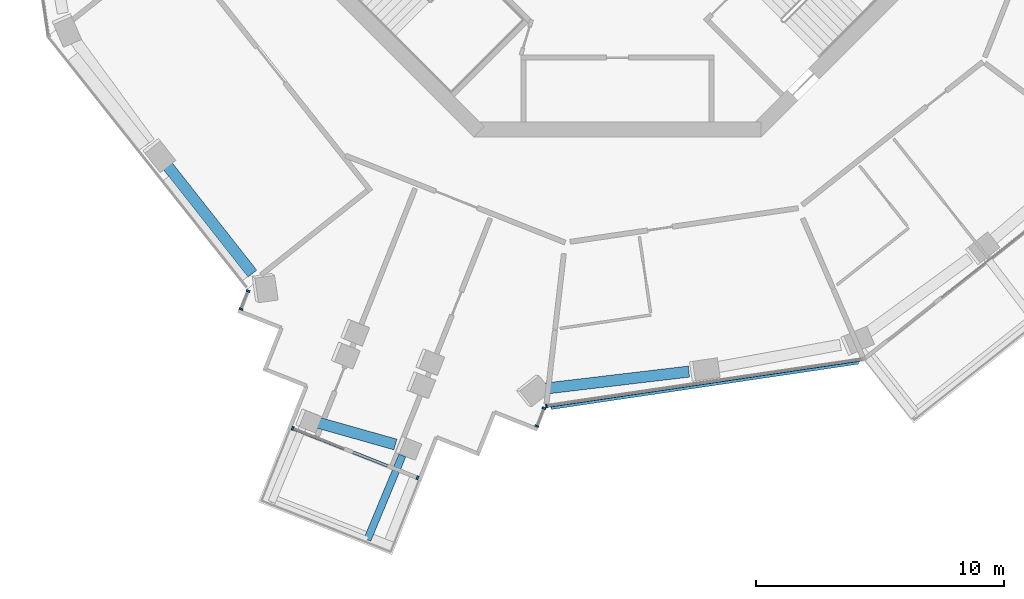
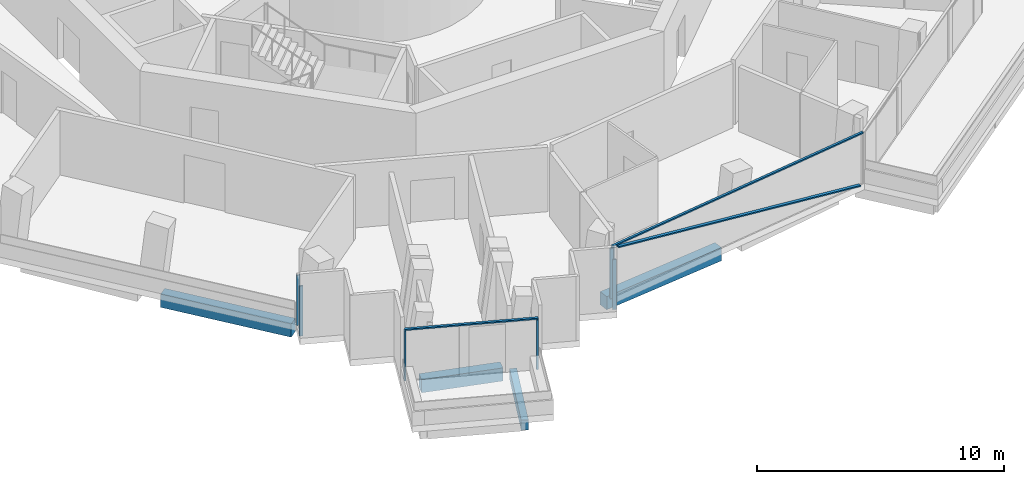
# One storey, part 2 of 21: 10 members, 4 beams, 4 elements without a shape of their own.
"""IFC4 building model written with IfcOpenShell, lengths in metres."""

from ifc_helpers import new_model, si_unit, direction, frame, origin, origin_2d, place, context, subcontext, project, spatial, rectangle, extrude, material, layer, layer_set, material_profile, profile_set, type_object, element, aggregate, save


model = new_model("IFC4")

# Units and contexts
model_context = context("Model", 3, precision=1e-05, world=origin(), true_north=direction((0.0, 1.0)))
body_context = subcontext(model_context, "Body", "Model", "MODEL_VIEW")
ifc_project = project(units=[si_unit("LENGTHUNIT", "METRE"), si_unit("AREAUNIT", "SQUARE_METRE"), si_unit("VOLUMEUNIT", "CUBIC_METRE"), si_unit("PLANEANGLEUNIT", "RADIAN"), si_unit("MASSUNIT", "GRAM", prefix="KILO")], contexts=[model_context])

# Site, building, storey
site_placement = place(None, origin())
site = spatial("IfcSite", under=ifc_project, at=site_placement, CompositionType="ELEMENT")
building_placement = place(site_placement, origin())
building = spatial("IfcBuilding", under=site, at=building_placement, Name="Verdalira Terraces Hotel", CompositionType="ELEMENT")
storey_placement = place(building_placement, frame((0.0, 0.0, 190.5)))
storey = spatial("IfcBuildingStorey", under=building, at=storey_placement, Name="L46", CompositionType="ELEMENT", Elevation=190.5)

# Beam
ifc_material_1 = material(Name="Concrete C40", Category="concrete")
ifc_material_profile_1 = material_profile(ifc_material_1, rectangle(XDim=0.300049, YDim=0.5, at=origin_2d()), Name="RC 300X500")
ifc_profile_set_1 = profile_set([ifc_material_profile_1], Name="Concrete C40")
beam_type_1 = type_object("IfcBeamType", Name="Balcony cantilever beam RC 300X500 C40", PredefinedType="BEAM", material=ifc_profile_set_1)
beam_1_placement = place(storey_placement, frame((-8.684814, -26.859863, -0.560059), z_axis=(-0.383661044, -0.923473986, 0.0), x_axis=(0.923473986, -0.383661044, 0.0)))
element("IfcBeam", 1, at=beam_1_placement, inside=storey, type_object=beam_type_1, Name="Balcony cantilever beam R19-2", PredefinedType="BEAM", context=body_context, shape_type="SweptSolid", body=[
    extrude(rectangle(XDim=0.300049, YDim=0.5, at=origin_2d()), origin(), (0.0, 0.0, 1.0), 3.688232),
])

# Curtain wall, members
ifc_material_2 = material(Name="Clear glass", Category="glass")
ifc_layer_1 = layer(ifc_material_2, 0.14990234375)
ifc_layer_set_1 = layer_set([ifc_layer_1], Name="CW1 curtain wall")
curtain_wall_type_1 = type_object("IfcCurtainWallType", Name="CW1 curtain wall", PredefinedType="NOTDEFINED", material=ifc_layer_set_1)
curtain_wall_1_placement = place(storey_placement, origin())
curtain_wall_1 = element("IfcCurtainWall", 2, at=curtain_wall_1_placement, inside=storey, type_object=curtain_wall_type_1, Name="CW1 curtain wall L46 edge 25", PredefinedType="NOTDEFINED")
ifc_material_3 = material(Name="Terracotta frame", Category="masonry")
ifc_material_profile_2 = material_profile(ifc_material_3, rectangle(XDim=0.060059, YDim=0.149902, at=origin_2d()), Name="MU 60x150")
ifc_profile_set_2 = profile_set([ifc_material_profile_2], Name="Terracotta frame")
member_type_1 = type_object("IfcMemberType", Name="CW1 mullion 60x150", PredefinedType="MULLION", material=ifc_profile_set_2)
member_1_placement = place(storey_placement, frame((-2.86792, -24.869141, 0.0), z_axis=(0.0, 0.0, 1.0), x_axis=(0.989272333, 0.146083029, 0.0)))
member_1 = element("IfcMember", 3, at=member_1_placement, type_object=member_type_1, Name="CW1 mullion", PredefinedType="MULLION", context=body_context, shape_type="SweptSolid", body=[
    extrude(rectangle(XDim=0.060059, YDim=0.149902, at=origin_2d()), origin(), (0.0, 0.0, 1.0), 2.475098),
])
ifc_material_4 = material(Name="Terracotta frame", Category="masonry")
ifc_material_profile_3 = material_profile(ifc_material_4, rectangle(XDim=0.110107, YDim=0.064941, at=origin_2d()), Name="TR 65x110")
ifc_profile_set_3 = profile_set([ifc_material_profile_3], Name="Terracotta frame")
member_type_2 = type_object("IfcMemberType", Name="CW1 transom 65x110", PredefinedType="USERDEFINED", material=ifc_profile_set_3)
member_2_placement = place(storey_placement, frame((-2.897461, -24.873535, 2.507568), z_axis=(0.989271225, 0.146090535, 0.0), x_axis=(-0.146090535, 0.989271225, 0.0)))
member_2 = element("IfcMember", 4, at=member_2_placement, type_object=member_type_2, Name="CW1 transom", ObjectType="TRANSOM", PredefinedType="USERDEFINED", context=body_context, shape_type="SweptSolid", body=[
    extrude(rectangle(XDim=0.110107, YDim=0.064941, at=origin_2d()), origin(), (0.0, 0.0, 1.0), 12.959961),
])

ifc_material_5 = material(Name="Clear glass", Category="glass")
ifc_layer_2 = layer(ifc_material_5, 0.14990234375)
ifc_layer_set_2 = layer_set([ifc_layer_2], Name="CW2 curtain wall")
curtain_wall_type_2 = type_object("IfcCurtainWallType", Name="CW2 curtain wall", PredefinedType="NOTDEFINED", material=ifc_layer_set_2)
curtain_wall_2_placement = place(storey_placement, origin())
curtain_wall_2 = element("IfcCurtainWall", 5, at=curtain_wall_2_placement, inside=storey, type_object=curtain_wall_type_2, Name="CW2 curtain wall L46 edge 14", PredefinedType="NOTDEFINED")
ifc_material_6 = material(Name="Terracotta frame", Category="masonry")
ifc_material_profile_4 = material_profile(ifc_material_6, rectangle(XDim=0.070068, YDim=0.149902, at=origin_2d()), Name="MU 70x150")
ifc_profile_set_4 = profile_set([ifc_material_profile_4], Name="Terracotta frame")
member_type_3 = type_object("IfcMemberType", Name="CW2 mullion 70x150", PredefinedType="MULLION", material=ifc_profile_set_4)
member_3_placement = place(storey_placement, frame((-14.916748, -20.222168, 0.0), z_axis=(0.0, 0.0, 1.0), x_axis=(-0.368124553, -0.929776486, 0.0)))
member_3 = element("IfcMember", 6, at=member_3_placement, type_object=member_type_3, Name="CW2 mullion", PredefinedType="MULLION", context=body_context, shape_type="SweptSolid", body=[
    extrude(rectangle(XDim=0.070068, YDim=0.149902, at=origin_2d()), origin(), (0.0, 0.0, 1.0), 2.475098),
])
member_4_placement = place(storey_placement, frame((-15.203857, -20.94751, 0.0), z_axis=(0.0, 0.0, 1.0), x_axis=(-0.368124553, -0.929776486, 0.0)))
member_4 = element("IfcMember", 7, at=member_4_placement, type_object=member_type_3, Name="CW2 mullion", PredefinedType="MULLION", context=body_context, shape_type="SweptSolid", body=[
    extrude(rectangle(XDim=0.070068, YDim=0.149902, at=origin_2d()), origin(), (0.0, 0.0, 1.0), 2.475098),
])
aggregate(curtain_wall_2, [member_3, member_4])

curtain_wall_3_placement = place(storey_placement, origin())
curtain_wall_3 = element("IfcCurtainWall", 8, at=curtain_wall_3_placement, inside=storey, type_object=curtain_wall_type_2, Name="CW2 curtain wall L46 edge 24", PredefinedType="NOTDEFINED")
member_5_placement = place(storey_placement, frame((-3.256348, -25.677734, 0.0), z_axis=(0.0, 0.0, 1.0), x_axis=(0.368124553, 0.929776486, 0.0)))
member_5 = element("IfcMember", 9, at=member_5_placement, type_object=member_type_3, Name="CW2 mullion", PredefinedType="MULLION", context=body_context, shape_type="SweptSolid", body=[
    extrude(rectangle(XDim=0.070068, YDim=0.149902, at=origin_2d()), origin(), (0.0, 0.0, 1.0), 2.475098),
])
member_6_placement = place(storey_placement, frame((-2.969238, -24.952637, 0.0), z_axis=(0.0, 0.0, 1.0), x_axis=(0.368124553, 0.929776486, 0.0)))
member_6 = element("IfcMember", 10, at=member_6_placement, type_object=member_type_3, Name="CW2 mullion", PredefinedType="MULLION", context=body_context, shape_type="SweptSolid", body=[
    extrude(rectangle(XDim=0.070068, YDim=0.149902, at=origin_2d()), origin(), (0.0, 0.0, 1.0), 2.475098),
])
aggregate(curtain_wall_3, [member_5, member_6])

ifc_material_7 = material(Name="Clear glass", Category="glass")
ifc_layer_3 = layer(ifc_material_7, 0.14990234375)
ifc_layer_set_3 = layer_set([ifc_layer_3], Name="CW3 curtain wall")
curtain_wall_type_3 = type_object("IfcCurtainWallType", Name="CW3 curtain wall", PredefinedType="NOTDEFINED", material=ifc_layer_set_3)
curtain_wall_4_placement = place(storey_placement, origin())
curtain_wall_4 = element("IfcCurtainWall", 11, at=curtain_wall_4_placement, inside=storey, type_object=curtain_wall_type_3, Name="CW3 curtain wall L46 edge 19", PredefinedType="NOTDEFINED")
ifc_material_8 = material(Name="Terracotta frame", Category="masonry")
ifc_material_profile_5 = material_profile(ifc_material_8, rectangle(XDim=0.080078, YDim=0.149902, at=origin_2d()), Name="MU 80x150")
ifc_profile_set_5 = profile_set([ifc_material_profile_5], Name="Terracotta frame")
member_type_4 = type_object("IfcMemberType", Name="CW3 mullion 80x150", PredefinedType="MULLION", material=ifc_profile_set_5)
member_7_placement = place(storey_placement, frame((-13.115479, -25.764404, 0.0), z_axis=(0.0, 0.0, 1.0), x_axis=(0.929776486, -0.368124553, 0.0)))
member_7 = element("IfcMember", 12, at=member_7_placement, type_object=member_type_4, Name="CW3 mullion", PredefinedType="MULLION", context=body_context, shape_type="SweptSolid", body=[
    extrude(rectangle(XDim=0.080078, YDim=0.149902, at=origin_2d()), origin(), (0.0, 0.0, 1.0), 2.475098),
])
member_8_placement = place(storey_placement, frame((-8.076172, -27.759766, 0.0), z_axis=(0.0, 0.0, 1.0), x_axis=(0.929776486, -0.368124553, 0.0)))
member_8 = element("IfcMember", 13, at=member_8_placement, type_object=member_type_4, Name="CW3 mullion", PredefinedType="MULLION", context=body_context, shape_type="SweptSolid", body=[
    extrude(rectangle(XDim=0.080078, YDim=0.149902, at=origin_2d()), origin(), (0.0, 0.0, 1.0), 2.475098),
])
ifc_material_9 = material(Name="Terracotta frame", Category="masonry")
ifc_material_profile_6 = material_profile(ifc_material_9, rectangle(XDim=0.120117, YDim=0.064941, at=origin_2d()), Name="TR 65x120")
ifc_profile_set_6 = profile_set([ifc_material_profile_6], Name="Terracotta frame")
member_type_5 = type_object("IfcMemberType", Name="CW3 transom 65x120", PredefinedType="USERDEFINED", material=ifc_profile_set_6)
member_9_placement = place(storey_placement, frame((-13.152832, -25.749756, 2.507568), z_axis=(0.929778128, -0.368120406, 0.0), x_axis=(0.368120406, 0.929778128, 0.0)))
member_9 = element("IfcMember", 14, at=member_9_placement, type_object=member_type_5, Name="CW3 transom", ObjectType="TRANSOM", PredefinedType="USERDEFINED", context=body_context, shape_type="SweptSolid", body=[
    extrude(rectangle(XDim=0.120117, YDim=0.064941, at=origin_2d()), origin(), (0.0, 0.0, 1.0), 5.5),
])
aggregate(curtain_wall_4, [member_7, member_8, member_9])

# Member
ifc_material_10 = material(Name="Terracotta frame", Category="masonry")
ifc_material_profile_7 = material_profile(ifc_material_10, rectangle(XDim=0.149902, YDim=0.060059, at=origin_2d()), Name="GB 60x150")
ifc_profile_set_7 = profile_set([ifc_material_profile_7], Name="Terracotta frame")
member_type_6 = type_object("IfcMemberType", Name="Diagonal glazing bar 60x150", PredefinedType="USERDEFINED", material=ifc_profile_set_7)
member_10_placement = place(storey_placement, frame((-2.672119, -24.930176, 2.445068), z_axis=(0.971390464, 0.143449122, -0.189269427), x_axis=(-0.146089664, 0.989271353, 0.0)))
member_10 = element("IfcMember", 15, at=member_10_placement, type_object=member_type_6, Name="Diagonal glazing bar", ObjectType="GLAZING BAR", PredefinedType="USERDEFINED", context=body_context, shape_type="SweptSolid", body=[
    extrude(rectangle(XDim=0.149902, YDim=0.060059, at=origin_2d()), origin(), (0.0, 0.0, 1.0), 12.760986),
])

aggregate(curtain_wall_1, [member_1, member_2, member_10])

# Beams
ifc_material_11 = material(Name="Concrete C50", Category="concrete")
ifc_material_profile_8 = material_profile(ifc_material_11, rectangle(XDim=0.449951, YDim=0.649902, at=origin_2d()), Name="RC 450X650")
ifc_profile_set_8 = profile_set([ifc_material_profile_8], Name="Concrete C50")
beam_type_2 = type_object("IfcBeamType", Name="Spandrel beam RC 450X650 C50", PredefinedType="SPANDREL", material=ifc_profile_set_8)
beam_2_placement = place(storey_placement, frame((-18.272217, -15.035645, -0.63501), z_axis=(0.618765834, -0.785575485, 0.0), x_axis=(0.785575485, 0.618765834, 0.0)))
element("IfcBeam", 16, at=beam_2_placement, inside=storey, type_object=beam_type_2, Name="Spandrel beam B09", PredefinedType="SPANDREL", context=body_context, shape_type="SweptSolid", body=[
    extrude(rectangle(XDim=0.449951, YDim=0.649902, at=origin_2d()), origin(), (0.0, 0.0, 1.0), 5.706543),
])
beam_3_placement = place(storey_placement, frame((-12.243408, -25.493896, -0.63501), z_axis=(0.962505378, -0.271262597, 0.0), x_axis=(0.271262597, 0.962505378, 0.0)))
element("IfcBeam", 17, at=beam_3_placement, inside=storey, type_object=beam_type_2, Name="Spandrel beam B10", PredefinedType="SPANDREL", context=body_context, shape_type="SweptSolid", body=[
    extrude(rectangle(XDim=0.449951, YDim=0.649902, at=origin_2d()), origin(), (0.0, 0.0, 1.0), 3.404785),
])
beam_4_placement = place(storey_placement, frame((-2.889893, -24.15625, -0.63501), z_axis=(0.993082788, 0.11741625, 0.0), x_axis=(-0.11741625, 0.993082788, 0.0)))
element("IfcBeam", 18, at=beam_4_placement, inside=storey, type_object=beam_type_2, Name="Spandrel beam B11", PredefinedType="SPANDREL", context=body_context, shape_type="SweptSolid", body=[
    extrude(rectangle(XDim=0.449951, YDim=0.649902, at=origin_2d()), origin(), (0.0, 0.0, 1.0), 5.813721),
])

save(model, "model.ifc")
